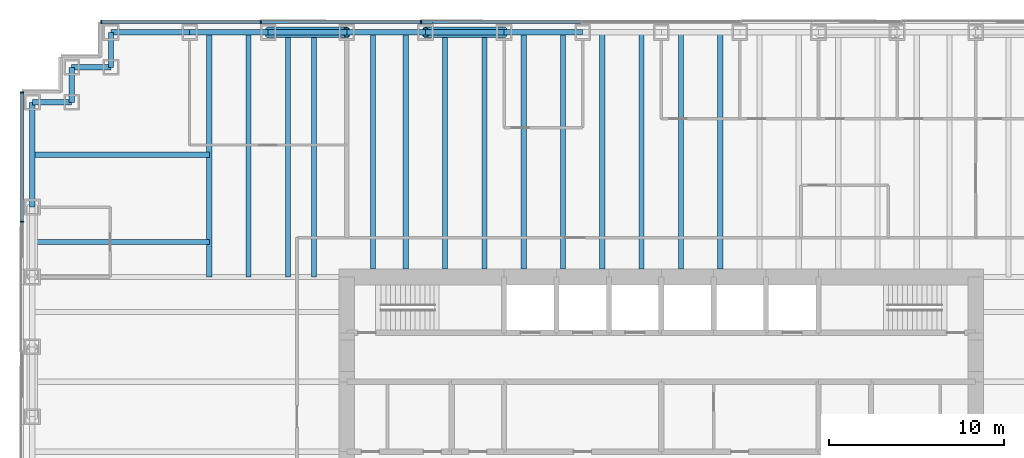
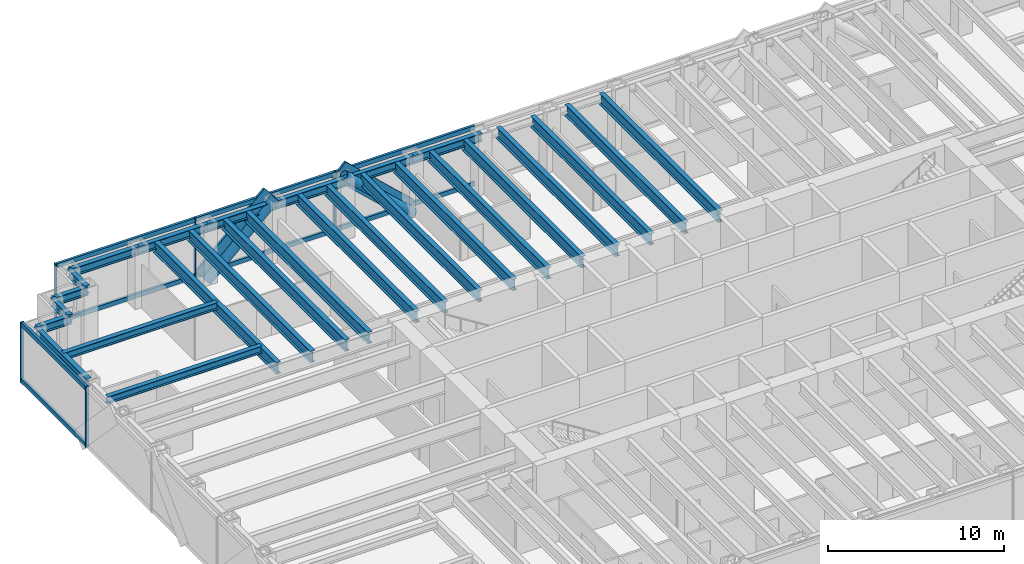
# One storey, part 6 of 15: 27 beams, 17 members, 2 elements without a shape of their own.
"""IFC4 building model written with IfcOpenShell, lengths in metres."""

from ifc_helpers import new_model, si_unit, direction, frame, origin, origin_2d, place, context, subcontext, project, spatial, rectangle, hollow_circle, i_section, extrude, material, material_profile, profile_set, type_object, element, aggregate, save


model = new_model("IFC4")

# Units and contexts
model_context = context("Model", 3, precision=1e-05, world=origin(), true_north=direction((0.0, 1.0)))
body_context = subcontext(model_context, "Body", "Model", "MODEL_VIEW")
ifc_project = project(units=[si_unit("LENGTHUNIT", "METRE"), si_unit("AREAUNIT", "SQUARE_METRE"), si_unit("VOLUMEUNIT", "CUBIC_METRE"), si_unit("PLANEANGLEUNIT", "RADIAN"), si_unit("MASSUNIT", "GRAM", prefix="KILO")], contexts=[model_context])

# Site, building, storey
site_placement = place(None, origin())
site = spatial("IfcSite", under=ifc_project, at=site_placement, CompositionType="ELEMENT")
building_placement = place(site_placement, origin())
building = spatial("IfcBuilding", under=site, at=building_placement, Name="Rheinbord Bourse Tower", CompositionType="ELEMENT")
storey_placement = place(building_placement, frame((0.0, 0.0, 163.5)))
storey = spatial("IfcBuildingStorey", under=building, at=storey_placement, Name="L36", CompositionType="ELEMENT", Elevation=163.5)

# Curtain wall, members
ifc_material_1 = material(Name="Dark glass and black aluminium", Category="aluminium")
curtain_wall_type = type_object("IfcCurtainWallType", Name="CW2 DARK GLASS CURTAIN WALL", PredefinedType="USERDEFINED", material=ifc_material_1)
curtain_wall_1_placement = place(storey_placement, origin())
curtain_wall_1 = element("IfcCurtainWall", 1, at=curtain_wall_1_placement, inside=storey, type_object=curtain_wall_type, Name="Curtain wall CW2 N L36", ObjectType="UNITISED CURTAIN WALL", PredefinedType="USERDEFINED")
ifc_material_2 = material(Name="Black anodised aluminium", Category="aluminium")
ifc_material_profile_1 = material_profile(ifc_material_2, rectangle(XDim=0.159912109375, YDim=1.2099609375, at=origin_2d()), Name="CW2 DIAGONAL MULLION 1210x160")
ifc_profile_set_1 = profile_set([ifc_material_profile_1], Name="Black anodised aluminium")
member_type_1 = type_object("IfcMemberType", Name="CW2 BLACK DIAGONAL MULLION", PredefinedType="USERDEFINED", material=ifc_profile_set_1)
member_1_placement = place(storey_placement, frame((27.0, 46.60009765625, 0.0), z_axis=(-0.73105922506, 0.0, 0.682314010889), x_axis=(0.0, -1.0, 0.0)))
member_1 = element("IfcMember", 2, at=member_1_placement, type_object=member_type_1, Name="CW2 diagonal mullion b", ObjectType="DIAGONAL MULLION", PredefinedType="USERDEFINED", context=body_context, shape_type="SweptSolid", body=[
    extrude(rectangle(XDim=0.159912109375, YDim=1.2099609375, at=origin_2d()), origin(), (0.0, 0.0, 1.0), 6.155517578125),
])
member_2_placement = place(storey_placement, frame((13.5, 46.60009765625, 0.0), z_axis=(0.73105922506, 0.0, 0.682314010889), x_axis=(0.0, 1.0, 0.0)))
member_2 = element("IfcMember", 3, at=member_2_placement, type_object=member_type_1, Name="CW2 diagonal mullion d", ObjectType="DIAGONAL MULLION", PredefinedType="USERDEFINED", context=body_context, shape_type="SweptSolid", body=[
    extrude(rectangle(XDim=0.159912109375, YDim=1.2099609375, at=origin_2d()), origin(), (0.0, 0.0, 1.0), 6.155517578125),
])
ifc_material_3 = material(Name="Black anodised aluminium", Category="aluminium")
ifc_material_profile_2 = material_profile(ifc_material_3, rectangle(XDim=0.219970703125, YDim=0.070068359375, at=origin_2d()), Name="CW2 MULLION 70x220")
ifc_profile_set_2 = profile_set([ifc_material_profile_2], Name="Black anodised aluminium")
member_type_2 = type_object("IfcMemberType", Name="CW2 BLACK MULLION", PredefinedType="MULLION", material=ifc_profile_set_2)
member_3_placement = place(storey_placement, frame((22.242919921875, 46.60009765625, 0.0), z_axis=(0.0, 0.0, 1.0), x_axis=(0.0, -1.0, 0.0)))
member_3 = element("IfcMember", 4, at=member_3_placement, type_object=member_type_2, Name="CW2 mullion 6", PredefinedType="MULLION", context=body_context, shape_type="SweptSolid", body=[
    extrude(rectangle(XDim=0.219970703125, YDim=0.070068359375, at=origin_2d()), origin(), (0.0, 0.0, 1.0), 4.199951171875),
])
member_4_placement = place(storey_placement, frame((13.071533203125, 46.60009765625, 0.0), z_axis=(0.0, 0.0, 1.0), x_axis=(0.0, -1.0, 0.0)))
member_4 = element("IfcMember", 5, at=member_4_placement, type_object=member_type_2, Name="CW2 mullion 7", PredefinedType="MULLION", context=body_context, shape_type="SweptSolid", body=[
    extrude(rectangle(XDim=0.219970703125, YDim=0.070068359375, at=origin_2d()), origin(), (0.0, 0.0, 1.0), 4.199951171875),
])
member_5_placement = place(storey_placement, frame((3.93505859375, 46.60009765625, 0.0), z_axis=(0.0, 0.0, 1.0), x_axis=(0.0, -1.0, 0.0)))
member_5 = element("IfcMember", 6, at=member_5_placement, type_object=member_type_2, Name="CW2 mullion 8", PredefinedType="MULLION", context=body_context, shape_type="SweptSolid", body=[
    extrude(rectangle(XDim=0.219970703125, YDim=0.070068359375, at=origin_2d()), origin(), (0.0, 0.0, 1.0), 4.199951171875),
])

curtain_wall_2_placement = place(storey_placement, origin())
curtain_wall_2 = element("IfcCurtainWall", 7, at=curtain_wall_2_placement, inside=storey, type_object=curtain_wall_type, Name="Curtain wall CW2 W L36", ObjectType="UNITISED CURTAIN WALL", PredefinedType="USERDEFINED")
member_6_placement = place(storey_placement, frame((-0.60009765625, 42.56494140625, 0.0), z_axis=(0.0, 0.0, 1.0), x_axis=(1.0, 0.0, 0.0)))
member_6 = element("IfcMember", 8, at=member_6_placement, type_object=member_type_2, Name="CW2 mullion 1", PredefinedType="MULLION", context=body_context, shape_type="SweptSolid", body=[
    extrude(rectangle(XDim=0.219970703125, YDim=0.070068359375, at=origin_2d()), origin(), (0.0, 0.0, 1.0), 4.199951171875),
])
member_7_placement = place(storey_placement, frame((-0.60009765625, 35.159912109375, 0.0), z_axis=(0.0, 0.0, 1.0), x_axis=(1.0, 0.0, 0.0)))
member_7 = element("IfcMember", 9, at=member_7_placement, type_object=member_type_2, Name="CW2 mullion 2", PredefinedType="MULLION", context=body_context, shape_type="SweptSolid", body=[
    extrude(rectangle(XDim=0.219970703125, YDim=0.070068359375, at=origin_2d()), origin(), (0.0, 0.0, 1.0), 4.199951171875),
])

# Member
ifc_material_4 = material(Name="Black anodised aluminium", Category="aluminium")
ifc_material_profile_3 = material_profile(ifc_material_4, rectangle(XDim=0.159912109375, YDim=0.300048828125, at=origin_2d()), Name="CW2 TRANSOM 300x160")
ifc_profile_set_3 = profile_set([ifc_material_profile_3], Name="Black anodised aluminium")
member_type_3 = type_object("IfcMemberType", Name="CW2 BLACK TRANSOM", PredefinedType="USERDEFINED", material=ifc_profile_set_3)
member_8_placement = place(storey_placement, frame((31.37939453125, 46.60009765625, 0.14990234375), z_axis=(-1.0, 0.0, 0.0), x_axis=(0.0, -1.0, 0.0)))
member_8 = element("IfcMember", 10, at=member_8_placement, type_object=member_type_3, Name="CW2 transom 5.1", ObjectType="TRANSOM", PredefinedType="USERDEFINED", context=body_context, shape_type="SweptSolid", body=[
    extrude(rectangle(XDim=0.159912109375, YDim=0.300048828125, at=origin_2d()), origin(), (0.0, 0.0, 1.0), 9.1015625),
])

member_9_placement = place(storey_placement, frame((31.37939453125, 46.60009765625, 4.050048828125), z_axis=(-1.0, 0.0, 0.0), x_axis=(0.0, -1.0, 0.0)))
member_9 = element("IfcMember", 11, at=member_9_placement, type_object=member_type_3, Name="CW2 transom 5.2", ObjectType="TRANSOM", PredefinedType="USERDEFINED", context=body_context, shape_type="SweptSolid", body=[
    extrude(rectangle(XDim=0.159912109375, YDim=0.300048828125, at=origin_2d()), origin(), (0.0, 0.0, 1.0), 9.1015625),
])

member_10_placement = place(storey_placement, frame((22.207763671875, 46.60009765625, 0.14990234375), z_axis=(-1.0, 0.0, 0.0), x_axis=(0.0, -1.0, 0.0)))
member_10 = element("IfcMember", 12, at=member_10_placement, type_object=member_type_3, Name="CW2 transom 6.1", ObjectType="TRANSOM", PredefinedType="USERDEFINED", context=body_context, shape_type="SweptSolid", body=[
    extrude(rectangle(XDim=0.159912109375, YDim=0.300048828125, at=origin_2d()), origin(), (0.0, 0.0, 1.0), 9.101318359375),
])

member_11_placement = place(storey_placement, frame((22.207763671875, 46.60009765625, 4.050048828125), z_axis=(-1.0, 0.0, 0.0), x_axis=(0.0, -1.0, 0.0)))
member_11 = element("IfcMember", 13, at=member_11_placement, type_object=member_type_3, Name="CW2 transom 6.2", ObjectType="TRANSOM", PredefinedType="USERDEFINED", context=body_context, shape_type="SweptSolid", body=[
    extrude(rectangle(XDim=0.159912109375, YDim=0.300048828125, at=origin_2d()), origin(), (0.0, 0.0, 1.0), 9.101318359375),
])

member_12_placement = place(storey_placement, frame((13.036376953125, 46.60009765625, 0.14990234375), z_axis=(-1.0, 0.0, 0.0), x_axis=(0.0, -1.0, 0.0)))
member_12 = element("IfcMember", 14, at=member_12_placement, type_object=member_type_3, Name="CW2 transom 7.1", ObjectType="TRANSOM", PredefinedType="USERDEFINED", context=body_context, shape_type="SweptSolid", body=[
    extrude(rectangle(XDim=0.159912109375, YDim=0.300048828125, at=origin_2d()), origin(), (0.0, 0.0, 1.0), 9.06640625),
])

member_13_placement = place(storey_placement, frame((13.036376953125, 46.60009765625, 4.050048828125), z_axis=(-1.0, 0.0, 0.0), x_axis=(0.0, -1.0, 0.0)))
member_13 = element("IfcMember", 15, at=member_13_placement, type_object=member_type_3, Name="CW2 transom 7.2", ObjectType="TRANSOM", PredefinedType="USERDEFINED", context=body_context, shape_type="SweptSolid", body=[
    extrude(rectangle(XDim=0.159912109375, YDim=0.300048828125, at=origin_2d()), origin(), (0.0, 0.0, 1.0), 9.06640625),
])

aggregate(curtain_wall_1, [member_3, member_4, member_5, member_8, member_9, member_10, member_11, member_12, member_13, member_1, member_2])

member_14_placement = place(storey_placement, frame((-0.60009765625, 42.530029296875, 0.14990234375), z_axis=(0.0, -1.0, 0.0), x_axis=(1.0, 0.0, 0.0)))
member_14 = element("IfcMember", 16, at=member_14_placement, type_object=member_type_3, Name="CW2 transom 1.1", ObjectType="TRANSOM", PredefinedType="USERDEFINED", context=body_context, shape_type="SweptSolid", body=[
    extrude(rectangle(XDim=0.159912109375, YDim=0.300048828125, at=origin_2d()), origin(), (0.0, 0.0, 1.0), 7.3349609375),
])

member_15_placement = place(storey_placement, frame((-0.60009765625, 42.530029296875, 4.050048828125), z_axis=(0.0, -1.0, 0.0), x_axis=(1.0, 0.0, 0.0)))
member_15 = element("IfcMember", 17, at=member_15_placement, type_object=member_type_3, Name="CW2 transom 1.2", ObjectType="TRANSOM", PredefinedType="USERDEFINED", context=body_context, shape_type="SweptSolid", body=[
    extrude(rectangle(XDim=0.159912109375, YDim=0.300048828125, at=origin_2d()), origin(), (0.0, 0.0, 1.0), 7.3349609375),
])

aggregate(curtain_wall_2, [member_6, member_7, member_14, member_15])

# Beams
ifc_material_5 = material(Name="Steel S460", Category="steel")
ifc_material_profile_4 = material_profile(ifc_material_5, i_section(OverallWidth=0.300048828125, OverallDepth=0.800048828125, WebThickness=0.017578125, FlangeThickness=0.032958984375, at=origin_2d()), Name="HEB 800")
ifc_profile_set_4 = profile_set([ifc_material_profile_4], Name="Steel S460")
beam_type_1 = type_object("IfcBeamType", Name="FLOOR BEAM HEB 800", PredefinedType="BEAM", material=ifc_profile_set_4)
for number, where, z_axis, x_axis, name in (
    (18, (10.125, 46.0, 3.639892578125), (0.0, -1.0, 0.0), (1.0, 0.0, 0.0), "Floor beam N-9a L37"),
    (19, (12.375, 46.0, 3.639892578125), (0.0, -1.0, 0.0), (1.0, 0.0, 0.0), "Floor beam N-9b L37"),
    (20, (14.625, 46.0, 3.639892578125), (0.0, -1.0, 0.0), (1.0, 0.0, 0.0), "Floor beam N-13.5a L37"),
    (21, (16.125, 46.0, 3.639892578125), (0.0, -1.0, 0.0), (1.0, 0.0, 0.0), "Floor beam N-13.5b L37"),
):
    element("IfcBeam", number, at=place(storey_placement, frame(where, z_axis=z_axis, x_axis=x_axis)), inside=storey, type_object=beam_type_1, Name=name, PredefinedType="BEAM", context=body_context, shape_type="SweptSolid", body=[
        extrude(i_section(OverallWidth=0.300048828125, OverallDepth=0.800048828125, WebThickness=0.017578125, FlangeThickness=0.032958984375, at=origin_2d()), origin(), (0.0, 0.0, 1.0), 14.0),
    ])
for number, where, z_axis, x_axis, name in (
    (22, (19.5, 46.0, 3.639892578125), (0.0, -1.0, 0.0), (1.0, 0.0, 0.0), "Floor beam N-18a L37"),
    (23, (21.375, 46.0, 3.639892578125), (0.0, -1.0, 0.0), (1.0, 0.0, 0.0), "Floor beam N-18b L37"),
    (24, (23.625, 46.0, 3.639892578125), (0.0, -1.0, 0.0), (1.0, 0.0, 0.0), "Floor beam N-22.5a L37"),
    (25, (25.875, 46.0, 3.639892578125), (0.0, -1.0, 0.0), (1.0, 0.0, 0.0), "Floor beam N-22.5b L37"),
    (26, (28.125, 46.0, 3.639892578125), (0.0, -1.0, 0.0), (1.0, 0.0, 0.0), "Floor beam N-27a L37"),
    (27, (30.375, 46.0, 3.639892578125), (0.0, -1.0, 0.0), (1.0, 0.0, 0.0), "Floor beam N-27b L37"),
    (28, (32.625, 46.0, 3.639892578125), (0.0, -1.0, 0.0), (1.0, 0.0, 0.0), "Floor beam N-31.5a L37"),
    (29, (34.875, 46.0, 3.639892578125), (0.0, -1.0, 0.0), (1.0, 0.0, 0.0), "Floor beam N-31.5b L37"),
    (30, (37.125, 46.0, 3.639892578125), (0.0, -1.0, 0.0), (1.0, 0.0, 0.0), "Floor beam N-36a L37"),
    (31, (39.375, 46.0, 3.639892578125), (0.0, -1.0, 0.0), (1.0, 0.0, 0.0), "Floor beam N-36b L37"),
):
    element("IfcBeam", number, at=place(storey_placement, frame(where, z_axis=z_axis, x_axis=x_axis)), inside=storey, type_object=beam_type_1, Name=name, PredefinedType="BEAM", context=body_context, shape_type="SweptSolid", body=[
        extrude(i_section(OverallWidth=0.300048828125, OverallDepth=0.800048828125, WebThickness=0.017578125, FlangeThickness=0.032958984375, at=origin_2d()), origin(), (0.0, 0.0, 1.0), 13.550048828125),
    ])

# Members
ifc_material_6 = material(Name="Steel S460", Category="steel")
ifc_material_profile_5 = material_profile(ifc_material_6, hollow_circle(Radius=0.304931640625, WallThickness=0.0400390625, at=origin_2d()), Name="CHS 610x40")
ifc_profile_set_5 = profile_set([ifc_material_profile_5], Name="Steel S460")
member_type_4 = type_object("IfcMemberType", Name="MEGABRACE CHS 610x40", PredefinedType="BRACE", material=ifc_profile_set_5)
for number, where, z_axis, x_axis, name in (
    (32, (27.0, 46.0, 0.0), (-0.73105922506, 0.0, 0.682314010889), (0.0, -1.0, 0.0), "Megabrace N face line b L36"),
    (33, (13.5, 46.0, 0.0), (0.73105922506, 0.0, 0.682314010889), (0.0, 1.0, 0.0), "Megabrace N face line d L36"),
):
    element("IfcMember", number, at=place(storey_placement, frame(where, z_axis=z_axis, x_axis=x_axis)), inside=storey, type_object=member_type_4, Name=name, PredefinedType="BRACE", context=body_context, shape_type="SweptSolid", body=[
        extrude(hollow_circle(Radius=0.304931640625, WallThickness=0.0400390625, at=origin_2d()), origin(), (0.0, 0.0, 1.0), 6.155517578125),
    ])

# Beams
ifc_material_7 = material(Name="Steel S460", Category="steel")
ifc_material_profile_6 = material_profile(ifc_material_7, i_section(OverallWidth=0.305908203125, OverallDepth=0.572021484375, WebThickness=0.02099609375, FlangeThickness=0.0400390625, at=origin_2d()), Name="HEM 550")
ifc_profile_set_6 = profile_set([ifc_material_profile_6], Name="Steel S460")
beam_type_2 = type_object("IfcBeamType", Name="SPANDREL HEM 550", PredefinedType="SPANDREL", material=ifc_profile_set_6)
for number, where, z_axis, x_axis, name in (
    (34, (31.5, 46.0, 3.75390625), (-1.0, 0.0, 0.0), (0.0, -1.0, 0.0), "Spandrel N-31.5-N-27 under L37"),
    (35, (27.0, 46.0, 3.75390625), (-1.0, 0.0, 0.0), (0.0, -1.0, 0.0), "Spandrel N-27-N-22.5 under L37"),
    (36, (22.5, 46.0, 3.75390625), (-1.0, 0.0, 0.0), (0.0, -1.0, 0.0), "Spandrel N-22.5-N-18 under L37"),
    (37, (18.0, 46.0, 3.75390625), (-1.0, 0.0, 0.0), (0.0, -1.0, 0.0), "Spandrel N-18-N-13.5 under L37"),
    (38, (13.5, 46.0, 3.75390625), (-1.0, 0.0, 0.0), (0.0, -1.0, 0.0), "Spandrel N-13.5-N-9 under L37"),
    (39, (9.0, 46.0, 3.75390625), (-1.0, 0.0, 0.0), (0.0, -1.0, 0.0), "Spandrel N-9-NW-E under L37"),
):
    element("IfcBeam", number, at=place(storey_placement, frame(where, z_axis=z_axis, x_axis=x_axis)), inside=storey, type_object=beam_type_2, Name=name, PredefinedType="SPANDREL", context=body_context, shape_type="SweptSolid", body=[
        extrude(i_section(OverallWidth=0.305908203125, OverallDepth=0.572021484375, WebThickness=0.02099609375, FlangeThickness=0.0400390625, at=origin_2d()), origin(), (0.0, 0.0, 1.0), 4.5),
    ])
beam_1_placement = place(storey_placement, frame((4.5, 46.0, 3.75390625), z_axis=(0.0, -1.0, 0.0), x_axis=(1.0, 0.0, 0.0)))
element("IfcBeam", 40, at=beam_1_placement, inside=storey, type_object=beam_type_2, Name="Spandrel NW-E-NW-D under L37", PredefinedType="SPANDREL", context=body_context, shape_type="SweptSolid", body=[
    extrude(i_section(OverallWidth=0.305908203125, OverallDepth=0.572021484375, WebThickness=0.02099609375, FlangeThickness=0.0400390625, at=origin_2d()), origin(), (0.0, 0.0, 1.0), 2.0),
])
beam_2_placement = place(storey_placement, frame((4.5, 44.0, 3.75390625), z_axis=(-1.0, 0.0, 0.0), x_axis=(0.0, -1.0, 0.0)))
element("IfcBeam", 41, at=beam_2_placement, inside=storey, type_object=beam_type_2, Name="Spandrel NW-D-NW-C under L37", PredefinedType="SPANDREL", context=body_context, shape_type="SweptSolid", body=[
    extrude(i_section(OverallWidth=0.305908203125, OverallDepth=0.572021484375, WebThickness=0.02099609375, FlangeThickness=0.0400390625, at=origin_2d()), origin(), (0.0, 0.0, 1.0), 2.25),
])
beam_3_placement = place(storey_placement, frame((2.25, 44.0, 3.75390625), z_axis=(0.0, -1.0, 0.0), x_axis=(1.0, 0.0, 0.0)))
element("IfcBeam", 42, at=beam_3_placement, inside=storey, type_object=beam_type_2, Name="Spandrel NW-C-NW-B under L37", PredefinedType="SPANDREL", context=body_context, shape_type="SweptSolid", body=[
    extrude(i_section(OverallWidth=0.305908203125, OverallDepth=0.572021484375, WebThickness=0.02099609375, FlangeThickness=0.0400390625, at=origin_2d()), origin(), (0.0, 0.0, 1.0), 2.0),
])
beam_4_placement = place(storey_placement, frame((2.25, 42.0, 3.75390625), z_axis=(-1.0, 0.0, 0.0), x_axis=(0.0, -1.0, 0.0)))
element("IfcBeam", 43, at=beam_4_placement, inside=storey, type_object=beam_type_2, Name="Spandrel NW-B-NW-A under L37", PredefinedType="SPANDREL", context=body_context, shape_type="SweptSolid", body=[
    extrude(i_section(OverallWidth=0.305908203125, OverallDepth=0.572021484375, WebThickness=0.02099609375, FlangeThickness=0.0400390625, at=origin_2d()), origin(), (0.0, 0.0, 1.0), 2.25),
])
beam_5_placement = place(storey_placement, frame((0.0, 42.0, 3.75390625), z_axis=(0.0, -1.0, 0.0), x_axis=(1.0, 0.0, 0.0)))
element("IfcBeam", 44, at=beam_5_placement, inside=storey, type_object=beam_type_2, Name="Spandrel NW-A-W-36 under L37", PredefinedType="SPANDREL", context=body_context, shape_type="SweptSolid", body=[
    extrude(i_section(OverallWidth=0.305908203125, OverallDepth=0.572021484375, WebThickness=0.02099609375, FlangeThickness=0.0400390625, at=origin_2d()), origin(), (0.0, 0.0, 1.0), 6.0),
])
ifc_material_8 = material(Name="Steel S460", Category="steel")
ifc_material_profile_7 = material_profile(ifc_material_8, i_section(OverallWidth=0.300048828125, OverallDepth=0.5, WebThickness=0.014404296875, FlangeThickness=0.028076171875, at=origin_2d()), Name="HEB 500")
ifc_profile_set_7 = profile_set([ifc_material_profile_7], Name="Steel S460")
beam_type_3 = type_object("IfcBeamType", Name="TIE BEAM HEB 500", PredefinedType="JOIST", material=ifc_profile_set_7)
for number, where, z_axis, x_axis, name in (
    (45, (0.0, 34.0, 3.7900390625), (1.0, 0.0, 0.0), (0.0, 1.0, 0.0), "Tie west 34 L37"),
    (46, (0.0, 39.0, 3.7900390625), (1.0, 0.0, 0.0), (0.0, 1.0, 0.0), "Tie west 39 L37"),
):
    element("IfcBeam", number, at=place(storey_placement, frame(where, z_axis=z_axis, x_axis=x_axis)), inside=storey, type_object=beam_type_3, Name=name, PredefinedType="JOIST", context=body_context, shape_type="SweptSolid", body=[
        extrude(i_section(OverallWidth=0.300048828125, OverallDepth=0.5, WebThickness=0.014404296875, FlangeThickness=0.028076171875, at=origin_2d()), origin(), (0.0, 0.0, 1.0), 10.125),
    ])

save(model, "model.ifc")
